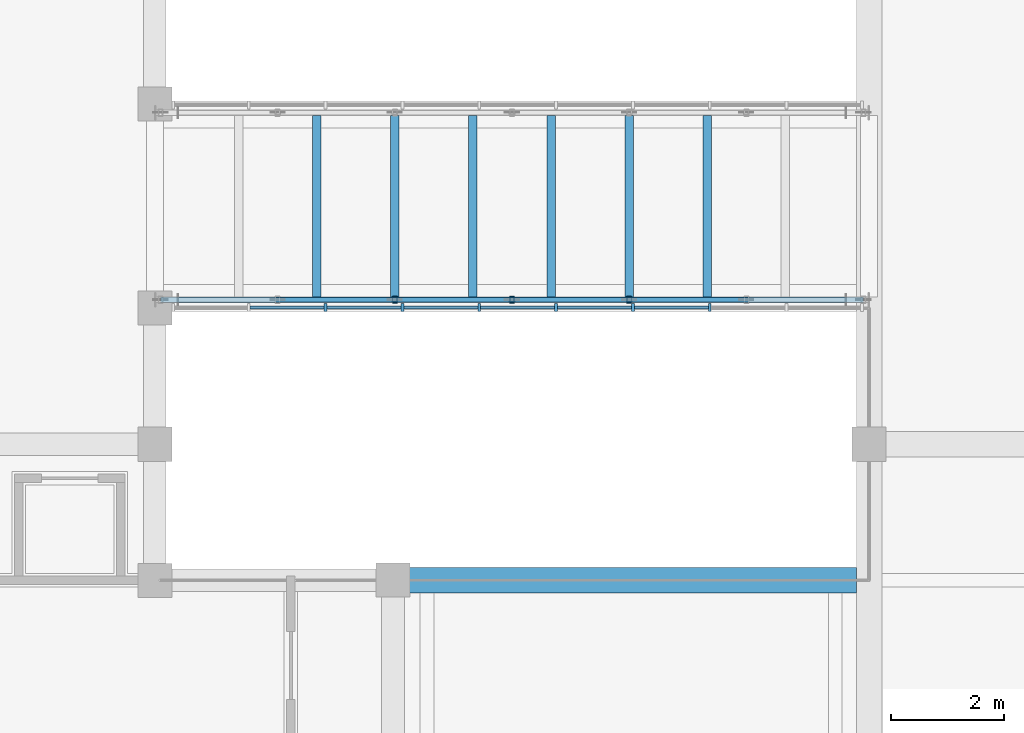
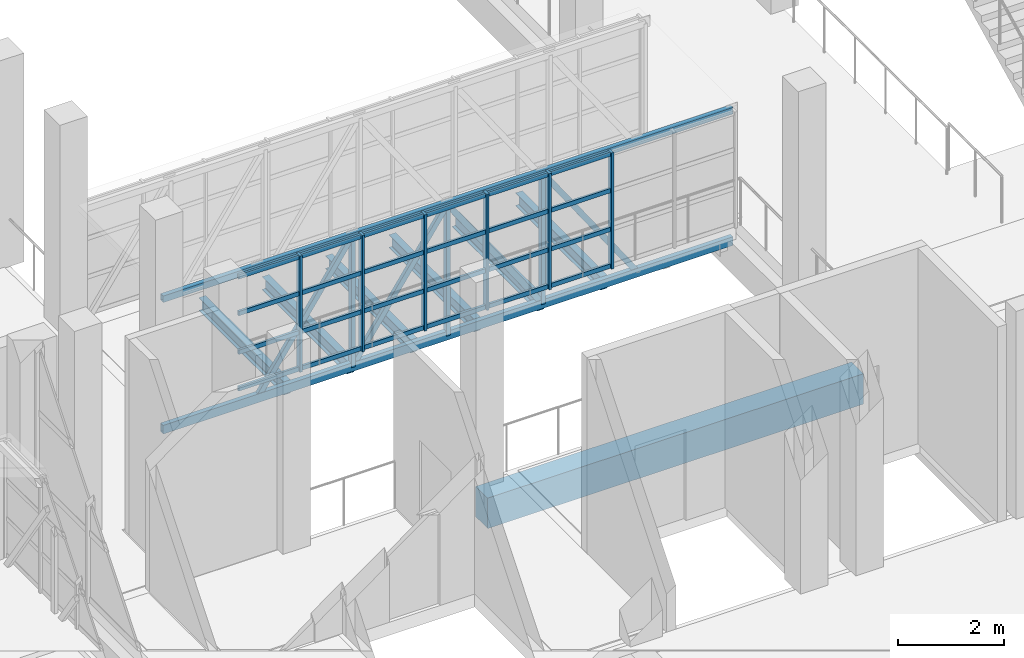
# One storey, part 14 of 86: 39 members, 7 beams, 1 element without a shape of its own.
"""IFC4 building model written with IfcOpenShell, lengths in metres."""

from ifc_helpers import new_model, si_unit, direction, frame, origin, origin_2d, place, context, subcontext, project, spatial, rectangle, hollow_rectangle, i_section, extrude, material, layer, layer_set, material_profile, profile_set, type_object, element, aggregate, save


model = new_model("IFC4")

# Units and contexts
model_context = context("Model", 3, precision=1e-05, world=origin(), true_north=direction((0.0, 1.0)))
body_context = subcontext(model_context, "Body", "Model", "MODEL_VIEW")
ifc_project = project(units=[si_unit("LENGTHUNIT", "METRE"), si_unit("AREAUNIT", "SQUARE_METRE"), si_unit("VOLUMEUNIT", "CUBIC_METRE"), si_unit("PLANEANGLEUNIT", "RADIAN"), si_unit("MASSUNIT", "GRAM", prefix="KILO")], contexts=[model_context])

# Site, building, storey
site_placement = place(None, origin())
site = spatial("IfcSite", under=ifc_project, at=site_placement, CompositionType="ELEMENT")
building_placement = place(site_placement, origin())
building = spatial("IfcBuilding", under=site, at=building_placement, Name="Kiln Court Media Centre", CompositionType="ELEMENT")
storey_placement = place(building_placement, frame((0.0, 0.0, 10.199951171875)))
storey = spatial("IfcBuildingStorey", under=building, at=storey_placement, Name="L02", CompositionType="ELEMENT", Elevation=10.199951171875)

# Curtain wall, members
ifc_material_1 = material(Name="Aluminium 6063-T6", Category="aluminium")
ifc_layer = layer(ifc_material_1, 0.1201171875)
ifc_layer_set = layer_set([ifc_layer], Name="Aluminium unitised curtain wall, bridge")
curtain_wall_type = type_object("IfcCurtainWallType", Name="Aluminium unitised curtain wall, bridge", PredefinedType="USERDEFINED", material=ifc_layer_set)
curtain_wall_placement = place(storey_placement, origin())
curtain_wall = element("IfcCurtainWall", 1, at=curtain_wall_placement, inside=storey, type_object=curtain_wall_type, Name="BR-L02-FOY-11 side glazing", ObjectType="UNITISED CURTAIN WALL", PredefinedType="USERDEFINED")
ifc_material_2 = material(Name="Aluminium 6063-T6", Category="aluminium")
ifc_material_profile_1 = material_profile(ifc_material_2, rectangle(XDim=0.050048828125, YDim=0.139892578125, at=origin_2d()), Name="Aluminium hall mullion 50x140")
ifc_profile_set_1 = profile_set([ifc_material_profile_1], Name="Aluminium 6063-T6")
member_type_1 = type_object("IfcMemberType", Name="Aluminium hall mullion 50x140", PredefinedType="MULLION", material=ifc_profile_set_1)
member_1_placement = place(storey_placement, frame((40.81103515625, 36.014892578125, 0.0), z_axis=(0.0, 0.0, 1.0), x_axis=(1.0, 0.0, 0.0)))
member_1 = element("IfcMember", 2, at=member_1_placement, type_object=member_type_1, Name="CW2-67 mullion 3", PredefinedType="MULLION", context=body_context, shape_type="SweptSolid", body=[
    extrude(rectangle(XDim=0.050048828125, YDim=0.139892578125, at=origin_2d()), origin(), (0.0, 0.0, 1.0), 2.675048828125),
])
member_2_placement = place(storey_placement, frame((42.166748046875, 36.014892578125, 0.0), z_axis=(0.0, 0.0, 1.0), x_axis=(1.0, 0.0, 0.0)))
member_2 = element("IfcMember", 3, at=member_2_placement, type_object=member_type_1, Name="CW2-67 mullion 4", PredefinedType="MULLION", context=body_context, shape_type="SweptSolid", body=[
    extrude(rectangle(XDim=0.050048828125, YDim=0.139892578125, at=origin_2d()), origin(), (0.0, 0.0, 1.0), 2.675048828125),
])
member_3_placement = place(storey_placement, frame((43.522216796875, 36.014892578125, 0.0), z_axis=(0.0, 0.0, 1.0), x_axis=(1.0, 0.0, 0.0)))
member_3 = element("IfcMember", 4, at=member_3_placement, type_object=member_type_1, Name="CW2-67 mullion 5", PredefinedType="MULLION", context=body_context, shape_type="SweptSolid", body=[
    extrude(rectangle(XDim=0.050048828125, YDim=0.139892578125, at=origin_2d()), origin(), (0.0, 0.0, 1.0), 2.675048828125),
])
member_4_placement = place(storey_placement, frame((44.877685546875, 36.014892578125, 0.0), z_axis=(0.0, 0.0, 1.0), x_axis=(1.0, 0.0, 0.0)))
member_4 = element("IfcMember", 5, at=member_4_placement, type_object=member_type_1, Name="CW2-67 mullion 6", PredefinedType="MULLION", context=body_context, shape_type="SweptSolid", body=[
    extrude(rectangle(XDim=0.050048828125, YDim=0.139892578125, at=origin_2d()), origin(), (0.0, 0.0, 1.0), 2.675048828125),
])
member_5_placement = place(storey_placement, frame((46.2333984375, 36.014892578125, 0.0), z_axis=(0.0, 0.0, 1.0), x_axis=(1.0, 0.0, 0.0)))
member_5 = element("IfcMember", 6, at=member_5_placement, type_object=member_type_1, Name="CW2-67 mullion 7", PredefinedType="MULLION", context=body_context, shape_type="SweptSolid", body=[
    extrude(rectangle(XDim=0.050048828125, YDim=0.139892578125, at=origin_2d()), origin(), (0.0, 0.0, 1.0), 2.675048828125),
])
member_6_placement = place(storey_placement, frame((47.5888671875, 36.014892578125, 0.0), z_axis=(0.0, 0.0, 1.0), x_axis=(1.0, 0.0, 0.0)))
member_6 = element("IfcMember", 7, at=member_6_placement, type_object=member_type_1, Name="CW2-67 mullion 8", PredefinedType="MULLION", context=body_context, shape_type="SweptSolid", body=[
    extrude(rectangle(XDim=0.050048828125, YDim=0.139892578125, at=origin_2d()), origin(), (0.0, 0.0, 1.0), 2.675048828125),
])
ifc_material_3 = material(Name="Aluminium 6063-T6", Category="aluminium")
ifc_material_profile_2 = material_profile(ifc_material_3, rectangle(XDim=0.050048828125, YDim=0.10009765625, at=origin_2d()), Name="Aluminium hall transom 50x100")
ifc_profile_set_2 = profile_set([ifc_material_profile_2], Name="Aluminium 6063-T6")
member_type_2 = type_object("IfcMemberType", Name="Aluminium hall transom 50x100", PredefinedType="USERDEFINED", material=ifc_profile_set_2)
member_7_placement = place(storey_placement, frame((39.48046875, 36.014892578125, 0.050048828125), z_axis=(1.0, 0.0, 0.0), x_axis=(0.0, 1.0, 0.0)))
member_7 = element("IfcMember", 8, at=member_7_placement, type_object=member_type_2, Name="CW2-67 transom 2.1", ObjectType="TRANSOM", PredefinedType="USERDEFINED", context=body_context, shape_type="SweptSolid", body=[
    extrude(rectangle(XDim=0.050048828125, YDim=0.10009765625, at=origin_2d()), origin(), (0.0, 0.0, 1.0), 1.3056640625),
])
member_8_placement = place(storey_placement, frame((39.48046875, 36.014892578125, 0.891845703125), z_axis=(1.0, 0.0, 0.0), x_axis=(0.0, 1.0, 0.0)))
member_8 = element("IfcMember", 9, at=member_8_placement, type_object=member_type_2, Name="CW2-67 transom 2.2", ObjectType="TRANSOM", PredefinedType="USERDEFINED", context=body_context, shape_type="SweptSolid", body=[
    extrude(rectangle(XDim=0.050048828125, YDim=0.10009765625, at=origin_2d()), origin(), (0.0, 0.0, 1.0), 1.3056640625),
])
member_9_placement = place(storey_placement, frame((39.48046875, 36.014892578125, 1.783447265625), z_axis=(1.0, 0.0, 0.0), x_axis=(0.0, 1.0, 0.0)))
member_9 = element("IfcMember", 10, at=member_9_placement, type_object=member_type_2, Name="CW2-67 transom 2.3", ObjectType="TRANSOM", PredefinedType="USERDEFINED", context=body_context, shape_type="SweptSolid", body=[
    extrude(rectangle(XDim=0.050048828125, YDim=0.10009765625, at=origin_2d()), origin(), (0.0, 0.0, 1.0), 1.3056640625),
])
member_10_placement = place(storey_placement, frame((39.48046875, 36.014892578125, 2.625), z_axis=(1.0, 0.0, 0.0), x_axis=(0.0, 1.0, 0.0)))
member_10 = element("IfcMember", 11, at=member_10_placement, type_object=member_type_2, Name="CW2-67 transom 2.4", ObjectType="TRANSOM", PredefinedType="USERDEFINED", context=body_context, shape_type="SweptSolid", body=[
    extrude(rectangle(XDim=0.050048828125, YDim=0.10009765625, at=origin_2d()), origin(), (0.0, 0.0, 1.0), 1.3056640625),
])
member_11_placement = place(storey_placement, frame((40.836181640625, 36.014892578125, 0.050048828125), z_axis=(1.0, 0.0, 0.0), x_axis=(0.0, 1.0, 0.0)))
member_11 = element("IfcMember", 12, at=member_11_placement, type_object=member_type_2, Name="CW2-67 transom 3.1", ObjectType="TRANSOM", PredefinedType="USERDEFINED", context=body_context, shape_type="SweptSolid", body=[
    extrude(rectangle(XDim=0.050048828125, YDim=0.10009765625, at=origin_2d()), origin(), (0.0, 0.0, 1.0), 1.305419921875),
])
member_12_placement = place(storey_placement, frame((40.836181640625, 36.014892578125, 0.891845703125), z_axis=(1.0, 0.0, 0.0), x_axis=(0.0, 1.0, 0.0)))
member_12 = element("IfcMember", 13, at=member_12_placement, type_object=member_type_2, Name="CW2-67 transom 3.2", ObjectType="TRANSOM", PredefinedType="USERDEFINED", context=body_context, shape_type="SweptSolid", body=[
    extrude(rectangle(XDim=0.050048828125, YDim=0.10009765625, at=origin_2d()), origin(), (0.0, 0.0, 1.0), 1.305419921875),
])
member_13_placement = place(storey_placement, frame((40.836181640625, 36.014892578125, 1.783447265625), z_axis=(1.0, 0.0, 0.0), x_axis=(0.0, 1.0, 0.0)))
member_13 = element("IfcMember", 14, at=member_13_placement, type_object=member_type_2, Name="CW2-67 transom 3.3", ObjectType="TRANSOM", PredefinedType="USERDEFINED", context=body_context, shape_type="SweptSolid", body=[
    extrude(rectangle(XDim=0.050048828125, YDim=0.10009765625, at=origin_2d()), origin(), (0.0, 0.0, 1.0), 1.305419921875),
])
member_14_placement = place(storey_placement, frame((40.836181640625, 36.014892578125, 2.625), z_axis=(1.0, 0.0, 0.0), x_axis=(0.0, 1.0, 0.0)))
member_14 = element("IfcMember", 15, at=member_14_placement, type_object=member_type_2, Name="CW2-67 transom 3.4", ObjectType="TRANSOM", PredefinedType="USERDEFINED", context=body_context, shape_type="SweptSolid", body=[
    extrude(rectangle(XDim=0.050048828125, YDim=0.10009765625, at=origin_2d()), origin(), (0.0, 0.0, 1.0), 1.305419921875),
])
member_15_placement = place(storey_placement, frame((42.191650390625, 36.014892578125, 0.050048828125), z_axis=(1.0, 0.0, 0.0), x_axis=(0.0, 1.0, 0.0)))
member_15 = element("IfcMember", 16, at=member_15_placement, type_object=member_type_2, Name="CW2-67 transom 4.1", ObjectType="TRANSOM", PredefinedType="USERDEFINED", context=body_context, shape_type="SweptSolid", body=[
    extrude(rectangle(XDim=0.050048828125, YDim=0.10009765625, at=origin_2d()), origin(), (0.0, 0.0, 1.0), 1.3056640625),
])
member_16_placement = place(storey_placement, frame((42.191650390625, 36.014892578125, 0.891845703125), z_axis=(1.0, 0.0, 0.0), x_axis=(0.0, 1.0, 0.0)))
member_16 = element("IfcMember", 17, at=member_16_placement, type_object=member_type_2, Name="CW2-67 transom 4.2", ObjectType="TRANSOM", PredefinedType="USERDEFINED", context=body_context, shape_type="SweptSolid", body=[
    extrude(rectangle(XDim=0.050048828125, YDim=0.10009765625, at=origin_2d()), origin(), (0.0, 0.0, 1.0), 1.3056640625),
])
member_17_placement = place(storey_placement, frame((42.191650390625, 36.014892578125, 1.783447265625), z_axis=(1.0, 0.0, 0.0), x_axis=(0.0, 1.0, 0.0)))
member_17 = element("IfcMember", 18, at=member_17_placement, type_object=member_type_2, Name="CW2-67 transom 4.3", ObjectType="TRANSOM", PredefinedType="USERDEFINED", context=body_context, shape_type="SweptSolid", body=[
    extrude(rectangle(XDim=0.050048828125, YDim=0.10009765625, at=origin_2d()), origin(), (0.0, 0.0, 1.0), 1.3056640625),
])
member_18_placement = place(storey_placement, frame((42.191650390625, 36.014892578125, 2.625), z_axis=(1.0, 0.0, 0.0), x_axis=(0.0, 1.0, 0.0)))
member_18 = element("IfcMember", 19, at=member_18_placement, type_object=member_type_2, Name="CW2-67 transom 4.4", ObjectType="TRANSOM", PredefinedType="USERDEFINED", context=body_context, shape_type="SweptSolid", body=[
    extrude(rectangle(XDim=0.050048828125, YDim=0.10009765625, at=origin_2d()), origin(), (0.0, 0.0, 1.0), 1.3056640625),
])
member_19_placement = place(storey_placement, frame((43.547119140625, 36.014892578125, 0.050048828125), z_axis=(1.0, 0.0, 0.0), x_axis=(0.0, 1.0, 0.0)))
member_19 = element("IfcMember", 20, at=member_19_placement, type_object=member_type_2, Name="CW2-67 transom 5.1", ObjectType="TRANSOM", PredefinedType="USERDEFINED", context=body_context, shape_type="SweptSolid", body=[
    extrude(rectangle(XDim=0.050048828125, YDim=0.10009765625, at=origin_2d()), origin(), (0.0, 0.0, 1.0), 1.3056640625),
])
member_20_placement = place(storey_placement, frame((43.547119140625, 36.014892578125, 0.891845703125), z_axis=(1.0, 0.0, 0.0), x_axis=(0.0, 1.0, 0.0)))
member_20 = element("IfcMember", 21, at=member_20_placement, type_object=member_type_2, Name="CW2-67 transom 5.2", ObjectType="TRANSOM", PredefinedType="USERDEFINED", context=body_context, shape_type="SweptSolid", body=[
    extrude(rectangle(XDim=0.050048828125, YDim=0.10009765625, at=origin_2d()), origin(), (0.0, 0.0, 1.0), 1.3056640625),
])
member_21_placement = place(storey_placement, frame((43.547119140625, 36.014892578125, 1.783447265625), z_axis=(1.0, 0.0, 0.0), x_axis=(0.0, 1.0, 0.0)))
member_21 = element("IfcMember", 22, at=member_21_placement, type_object=member_type_2, Name="CW2-67 transom 5.3", ObjectType="TRANSOM", PredefinedType="USERDEFINED", context=body_context, shape_type="SweptSolid", body=[
    extrude(rectangle(XDim=0.050048828125, YDim=0.10009765625, at=origin_2d()), origin(), (0.0, 0.0, 1.0), 1.3056640625),
])
member_22_placement = place(storey_placement, frame((43.547119140625, 36.014892578125, 2.625), z_axis=(1.0, 0.0, 0.0), x_axis=(0.0, 1.0, 0.0)))
member_22 = element("IfcMember", 23, at=member_22_placement, type_object=member_type_2, Name="CW2-67 transom 5.4", ObjectType="TRANSOM", PredefinedType="USERDEFINED", context=body_context, shape_type="SweptSolid", body=[
    extrude(rectangle(XDim=0.050048828125, YDim=0.10009765625, at=origin_2d()), origin(), (0.0, 0.0, 1.0), 1.3056640625),
])
member_23_placement = place(storey_placement, frame((44.90283203125, 36.014892578125, 0.050048828125), z_axis=(1.0, 0.0, 0.0), x_axis=(0.0, 1.0, 0.0)))
member_23 = element("IfcMember", 24, at=member_23_placement, type_object=member_type_2, Name="CW2-67 transom 6.1", ObjectType="TRANSOM", PredefinedType="USERDEFINED", context=body_context, shape_type="SweptSolid", body=[
    extrude(rectangle(XDim=0.050048828125, YDim=0.10009765625, at=origin_2d()), origin(), (0.0, 0.0, 1.0), 1.305419921875),
])
member_24_placement = place(storey_placement, frame((44.90283203125, 36.014892578125, 0.891845703125), z_axis=(1.0, 0.0, 0.0), x_axis=(0.0, 1.0, 0.0)))
member_24 = element("IfcMember", 25, at=member_24_placement, type_object=member_type_2, Name="CW2-67 transom 6.2", ObjectType="TRANSOM", PredefinedType="USERDEFINED", context=body_context, shape_type="SweptSolid", body=[
    extrude(rectangle(XDim=0.050048828125, YDim=0.10009765625, at=origin_2d()), origin(), (0.0, 0.0, 1.0), 1.305419921875),
])
member_25_placement = place(storey_placement, frame((44.90283203125, 36.014892578125, 1.783447265625), z_axis=(1.0, 0.0, 0.0), x_axis=(0.0, 1.0, 0.0)))
member_25 = element("IfcMember", 26, at=member_25_placement, type_object=member_type_2, Name="CW2-67 transom 6.3", ObjectType="TRANSOM", PredefinedType="USERDEFINED", context=body_context, shape_type="SweptSolid", body=[
    extrude(rectangle(XDim=0.050048828125, YDim=0.10009765625, at=origin_2d()), origin(), (0.0, 0.0, 1.0), 1.305419921875),
])
member_26_placement = place(storey_placement, frame((44.90283203125, 36.014892578125, 2.625), z_axis=(1.0, 0.0, 0.0), x_axis=(0.0, 1.0, 0.0)))
member_26 = element("IfcMember", 27, at=member_26_placement, type_object=member_type_2, Name="CW2-67 transom 6.4", ObjectType="TRANSOM", PredefinedType="USERDEFINED", context=body_context, shape_type="SweptSolid", body=[
    extrude(rectangle(XDim=0.050048828125, YDim=0.10009765625, at=origin_2d()), origin(), (0.0, 0.0, 1.0), 1.305419921875),
])
member_27_placement = place(storey_placement, frame((46.25830078125, 36.014892578125, 0.050048828125), z_axis=(1.0, 0.0, 0.0), x_axis=(0.0, 1.0, 0.0)))
member_27 = element("IfcMember", 28, at=member_27_placement, type_object=member_type_2, Name="CW2-67 transom 7.1", ObjectType="TRANSOM", PredefinedType="USERDEFINED", context=body_context, shape_type="SweptSolid", body=[
    extrude(rectangle(XDim=0.050048828125, YDim=0.10009765625, at=origin_2d()), origin(), (0.0, 0.0, 1.0), 1.3056640625),
])
member_28_placement = place(storey_placement, frame((46.25830078125, 36.014892578125, 0.891845703125), z_axis=(1.0, 0.0, 0.0), x_axis=(0.0, 1.0, 0.0)))
member_28 = element("IfcMember", 29, at=member_28_placement, type_object=member_type_2, Name="CW2-67 transom 7.2", ObjectType="TRANSOM", PredefinedType="USERDEFINED", context=body_context, shape_type="SweptSolid", body=[
    extrude(rectangle(XDim=0.050048828125, YDim=0.10009765625, at=origin_2d()), origin(), (0.0, 0.0, 1.0), 1.3056640625),
])
member_29_placement = place(storey_placement, frame((46.25830078125, 36.014892578125, 1.783447265625), z_axis=(1.0, 0.0, 0.0), x_axis=(0.0, 1.0, 0.0)))
member_29 = element("IfcMember", 30, at=member_29_placement, type_object=member_type_2, Name="CW2-67 transom 7.3", ObjectType="TRANSOM", PredefinedType="USERDEFINED", context=body_context, shape_type="SweptSolid", body=[
    extrude(rectangle(XDim=0.050048828125, YDim=0.10009765625, at=origin_2d()), origin(), (0.0, 0.0, 1.0), 1.3056640625),
])
member_30_placement = place(storey_placement, frame((46.25830078125, 36.014892578125, 2.625), z_axis=(1.0, 0.0, 0.0), x_axis=(0.0, 1.0, 0.0)))
member_30 = element("IfcMember", 31, at=member_30_placement, type_object=member_type_2, Name="CW2-67 transom 7.4", ObjectType="TRANSOM", PredefinedType="USERDEFINED", context=body_context, shape_type="SweptSolid", body=[
    extrude(rectangle(XDim=0.050048828125, YDim=0.10009765625, at=origin_2d()), origin(), (0.0, 0.0, 1.0), 1.3056640625),
])
aggregate(curtain_wall, [member_1, member_2, member_3, member_4, member_5, member_6, member_7, member_8, member_9, member_10, member_11, member_12, member_13, member_14, member_15, member_16, member_17, member_18, member_19, member_20, member_21, member_22, member_23, member_24, member_25, member_26, member_27, member_28, member_29, member_30])

# Beam
ifc_material_4 = material(Name="Concrete C30/37", Category="concrete")
ifc_material_profile_3 = material_profile(ifc_material_4, rectangle(XDim=0.449951171875, YDim=0.699951171875, at=origin_2d()), Name="RC 450x700")
ifc_profile_set_3 = profile_set([ifc_material_profile_3], Name="Concrete C30/37")
beam_type_1 = type_object("IfcBeamType", Name="Concrete C30/37 beam 450x700", PredefinedType="BEAM", material=ifc_profile_set_3)
beam_placement = place(storey_placement, frame((42.0, 31.199951171875, -0.64990234375), z_axis=(1.0, 0.0, 0.0), x_axis=(0.0, 1.0, 0.0)))
element("IfcBeam", 32, at=beam_placement, inside=storey, type_object=beam_type_1, Name="L02-B-1103", PredefinedType="BEAM", context=body_context, shape_type="SweptSolid", body=[
    extrude(rectangle(XDim=0.449951171875, YDim=0.699951171875, at=origin_2d()), origin(), (0.0, 0.0, 1.0), 8.175048828125),
])

# Members
ifc_material_5 = material(Name="Steel ASTM A500 Gr C", Category="steel")
ifc_material_profile_4 = material_profile(ifc_material_5, hollow_rectangle(XDim=0.080078125, YDim=0.1201171875, WallThickness=0.00634765625, at=origin_2d()), Name="RHS 120x80x6.3")
ifc_profile_set_4 = profile_set([ifc_material_profile_4], Name="Steel ASTM A500 Gr C")
member_type_3 = type_object("IfcMemberType", Name="Steel ASTM A500 Gr C RHS 120x80x6.3 bridge truss web", PredefinedType="BRACE", material=ifc_profile_set_4)
for number, where, z_axis, x_axis, name in (
    (33, (42.033203125, 36.14990234375, -0.39990234375), (0.0, 0.0, 1.0), (1.0, 0.0, 0.0), "bridge BR-L02-FOY-11 side truss 1 post 3 bridge truss web"),
    (34, (44.10009765625, 36.14990234375, -0.39990234375), (0.0, 0.0, 1.0), (1.0, 0.0, 0.0), "bridge BR-L02-FOY-11 side truss 1 post 4 bridge truss web"),
    (35, (46.166748046875, 36.14990234375, -0.39990234375), (0.0, 0.0, 1.0), (1.0, 0.0, 0.0), "bridge BR-L02-FOY-11 side truss 1 post 5 bridge truss web"),
):
    element("IfcMember", number, at=place(storey_placement, frame(where, z_axis=z_axis, x_axis=x_axis)), inside=storey, type_object=member_type_3, Name=name, PredefinedType="BRACE", context=body_context, shape_type="SweptSolid", body=[
        extrude(hollow_rectangle(XDim=0.080078125, YDim=0.1201171875, WallThickness=0.00634765625, at=origin_2d()), origin(), (0.0, 0.0, 1.0), 3.0),
    ])
member_31_placement = place(storey_placement, frame((39.966796875, 36.14990234375, -0.39990234375), z_axis=(0.56725675467, 0.0, 0.823540997329), x_axis=(0.0, 1.0, 0.0)))
element("IfcMember", 36, at=member_31_placement, inside=storey, type_object=member_type_3, Name="bridge BR-L02-FOY-11 side truss 1 diagonal 2 bridge truss web", PredefinedType="BRACE", context=body_context, shape_type="SweptSolid", body=[
    extrude(hollow_rectangle(XDim=0.080078125, YDim=0.1201171875, WallThickness=0.00634765625, at=origin_2d()), origin(), (0.0, 0.0, 1.0), 3.642822265625),
])
for number, where, z_axis, x_axis, name in (
    (37, (42.033203125, 36.14990234375, -0.39990234375), (0.567347652797, 0.0, 0.823478379113), (0.0, 1.0, 0.0), "bridge BR-L02-FOY-11 side truss 1 diagonal 3 bridge truss web"),
    (38, (44.10009765625, 36.14990234375, 2.60009765625), (0.567302206325, 0.0, -0.823509688284), (0.0, 1.0, 0.0), "bridge BR-L02-FOY-11 side truss 1 diagonal 4 bridge truss web"),
    (39, (46.166748046875, 36.14990234375, 2.60009765625), (0.567302206325, 0.0, -0.823509688284), (0.0, 1.0, 0.0), "bridge BR-L02-FOY-11 side truss 1 diagonal 5 bridge truss web"),
):
    element("IfcMember", number, at=place(storey_placement, frame(where, z_axis=z_axis, x_axis=x_axis)), inside=storey, type_object=member_type_3, Name=name, PredefinedType="BRACE", context=body_context, shape_type="SweptSolid", body=[
        extrude(hollow_rectangle(XDim=0.080078125, YDim=0.1201171875, WallThickness=0.00634765625, at=origin_2d()), origin(), (0.0, 0.0, 1.0), 3.64306640625),
    ])
ifc_material_6 = material(Name="Steel ASTM A500 Gr C", Category="steel")
ifc_material_profile_5 = material_profile(ifc_material_6, hollow_rectangle(XDim=0.10009765625, YDim=0.14990234375, WallThickness=0.008056640625, at=origin_2d()), Name="RHS 150x100x8.0")
ifc_profile_set_5 = profile_set([ifc_material_profile_5], Name="Steel ASTM A500 Gr C")
member_type_4 = type_object("IfcMemberType", Name="Steel ASTM A500 Gr C RHS 150x100x8.0 bridge truss chord", PredefinedType="CHORD", material=ifc_profile_set_5)
member_32_placement = place(storey_placement, frame((37.89990234375, 36.14990234375, 2.60009765625), z_axis=(1.0, 0.0, 0.0), x_axis=(0.0, 1.0, 0.0)))
element("IfcMember", 40, at=member_32_placement, inside=storey, type_object=member_type_4, Name="bridge BR-L02-FOY-11 side truss 1 top chord bridge truss chord", PredefinedType="CHORD", context=body_context, shape_type="SweptSolid", body=[
    extrude(hollow_rectangle(XDim=0.10009765625, YDim=0.14990234375, WallThickness=0.008056640625, at=origin_2d()), origin(), (0.0, 0.0, 1.0), 12.400146484375),
])
ifc_material_7 = material(Name="Steel ASTM A500 Gr C", Category="steel")
ifc_material_profile_6 = material_profile(ifc_material_7, hollow_rectangle(XDim=0.10009765625, YDim=0.199951171875, WallThickness=0.008056640625, at=origin_2d()), Name="RHS 200x100x8.0")
ifc_profile_set_6 = profile_set([ifc_material_profile_6], Name="Steel ASTM A500 Gr C")
member_type_5 = type_object("IfcMemberType", Name="Steel ASTM A500 Gr C RHS 200x100x8.0 bridge truss chord", PredefinedType="CHORD", material=ifc_profile_set_6)
member_33_placement = place(storey_placement, frame((37.89990234375, 36.14990234375, -0.39990234375), z_axis=(1.0, 0.0, 0.0), x_axis=(0.0, 1.0, 0.0)))
element("IfcMember", 41, at=member_33_placement, inside=storey, type_object=member_type_5, Name="bridge BR-L02-FOY-11 side truss 1 bottom chord bridge truss chord", PredefinedType="CHORD", context=body_context, shape_type="SweptSolid", body=[
    extrude(hollow_rectangle(XDim=0.10009765625, YDim=0.199951171875, WallThickness=0.008056640625, at=origin_2d()), origin(), (0.0, 0.0, 1.0), 12.400146484375),
])

# Beams
ifc_material_8 = material(Name="Steel ASTM A572 Gr 50", Category="steel")
ifc_material_profile_7 = material_profile(ifc_material_8, i_section(OverallWidth=0.14990234375, OverallDepth=0.300048828125, WebThickness=0.007080078125, FlangeThickness=0.0107421875, FilletRadius=0.014892578125, at=origin_2d()), Name="IPE 300")
ifc_profile_set_7 = profile_set([ifc_material_profile_7], Name="Steel ASTM A572 Gr 50")
beam_type_2 = type_object("IfcBeamType", Name="Steel ASTM A572 Gr 50 IPE 300 bridge floor beam", PredefinedType="BEAM", material=ifc_profile_set_7)
for number, where, z_axis, x_axis, name in (
    (42, (40.655517578125, 36.199951171875, -0.449951171875), (0.0, 1.0, 0.0), (-1.0, 0.0, 0.0), "bridge BR-L02-FOY-11 floor beam 2 bridge floor beam"),
    (43, (42.033203125, 36.199951171875, -0.449951171875), (0.0, 1.0, 0.0), (-1.0, 0.0, 0.0), "bridge BR-L02-FOY-11 floor beam 3 bridge floor beam"),
    (44, (43.4111328125, 36.199951171875, -0.449951171875), (0.0, 1.0, 0.0), (-1.0, 0.0, 0.0), "bridge BR-L02-FOY-11 floor beam 4 bridge floor beam"),
    (45, (44.788818359375, 36.199951171875, -0.449951171875), (0.0, 1.0, 0.0), (-1.0, 0.0, 0.0), "bridge BR-L02-FOY-11 floor beam 5 bridge floor beam"),
    (46, (46.166748046875, 36.199951171875, -0.449951171875), (0.0, 1.0, 0.0), (-1.0, 0.0, 0.0), "bridge BR-L02-FOY-11 floor beam 6 bridge floor beam"),
    (47, (47.54443359375, 36.199951171875, -0.449951171875), (0.0, 1.0, 0.0), (-1.0, 0.0, 0.0), "bridge BR-L02-FOY-11 floor beam 7 bridge floor beam"),
):
    element("IfcBeam", number, at=place(storey_placement, frame(where, z_axis=z_axis, x_axis=x_axis)), inside=storey, type_object=beam_type_2, Name=name, PredefinedType="BEAM", context=body_context, shape_type="SweptSolid", body=[
        extrude(i_section(OverallWidth=0.14990234375, OverallDepth=0.300048828125, WebThickness=0.007080078125, FlangeThickness=0.0107421875, FilletRadius=0.014892578125, at=origin_2d()), origin(), (0.0, 0.0, 1.0), 3.199951171875),
    ])

save(model, "model.ifc")
